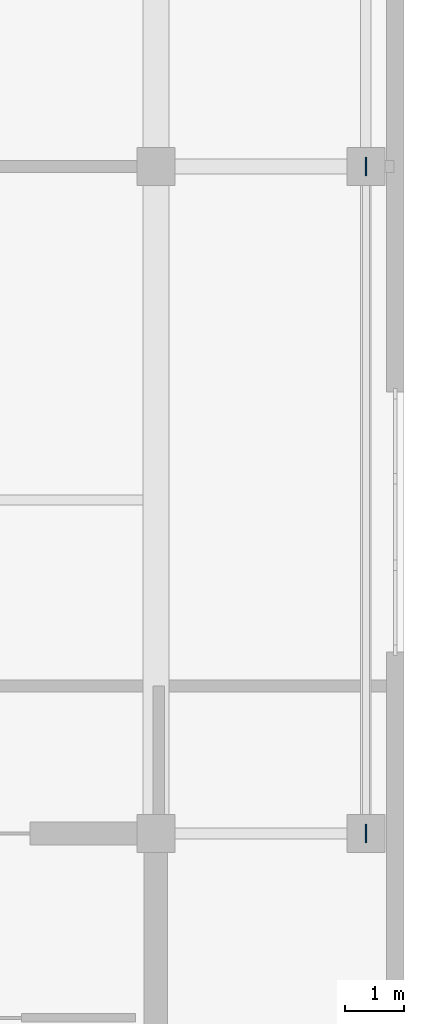
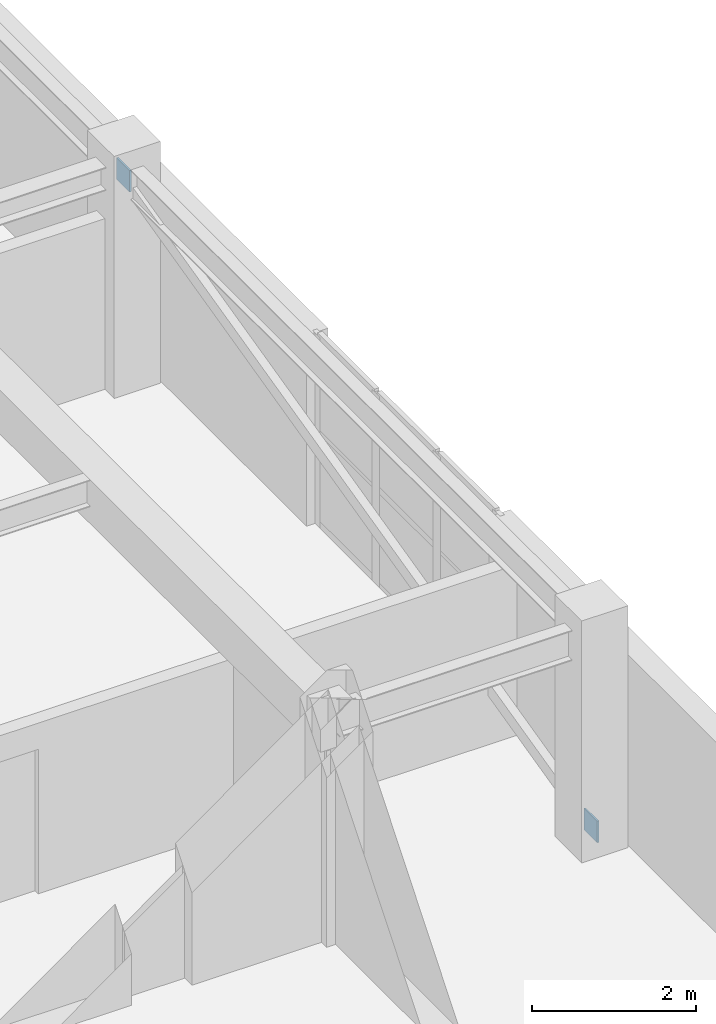
# One storey, part 8 of 9: 2 discrete accessories.
"""IFC4 building model written with IfcOpenShell, lengths in metres."""

from ifc_helpers import new_model, si_unit, direction, frame, origin, origin_2d, place, context, subcontext, project, spatial, rectangle, extrude, material, layer, layer_set, type_object, element, save


model = new_model("IFC4")

# Units and contexts
model_context = context("Model", 3, precision=1e-05, world=origin(), true_north=direction((0.0, 1.0)))
body_context = subcontext(model_context, "Body", "Model", "MODEL_VIEW")
ifc_project = project(units=[si_unit("LENGTHUNIT", "METRE"), si_unit("AREAUNIT", "SQUARE_METRE"), si_unit("VOLUMEUNIT", "CUBIC_METRE"), si_unit("PLANEANGLEUNIT", "RADIAN"), si_unit("MASSUNIT", "GRAM", prefix="KILO")], contexts=[model_context])

# Site, building, storey
site_placement = place(None, origin())
site = spatial("IfcSite", under=ifc_project, at=site_placement, CompositionType="ELEMENT")
building_placement = place(site_placement, origin())
building = spatial("IfcBuilding", under=site, at=building_placement, Name="Svetorya Sky Lyceum", CompositionType="ELEMENT")
storey_placement = place(building_placement, frame((0.0, 0.0, 309.199951171875)))
storey = spatial("IfcBuildingStorey", under=building, at=storey_placement, Name="C03", CompositionType="ELEMENT", Elevation=309.199951171875)

# Discrete accessories
ifc_material = material(Name="Steel S355", Category="steel")
ifc_layer = layer(ifc_material, 0.02392578125)
ifc_layer_set = layer_set([ifc_layer], Name="Steel S355")
discrete_accessory_type = type_object("IfcDiscreteAccessoryType", Name="ACC-GUSSET-24", PredefinedType="BRACKET", material=ifc_layer_set)
for number, where, z_axis, x_axis, name in (
    (1, (56.389892578125, 16.800048828125, 0.08984375), (0.0, 0.0, 1.0), (1.0, 0.0, 0.0), "C03 Brace Node Gusset Plate 203"),
    (2, (56.389892578125, 28.199951171875, 2.85986328125), (0.0, 0.0, 1.0), (1.0, 0.0, 0.0), "C03 Brace Node Gusset Plate 204"),
):
    element("IfcDiscreteAccessory", number, at=place(storey_placement, frame(where, z_axis=z_axis, x_axis=x_axis)), inside=storey, type_object=discrete_accessory_type, Name=name, PredefinedType="BRACKET", context=body_context, shape_type="SweptSolid", body=[
        extrude(rectangle(XDim=0.02392578125, YDim=0.320068359375, at=origin_2d()), origin(), (0.0, 0.0, 1.0), 0.320068359375),
    ])

save(model, "model.ifc")
